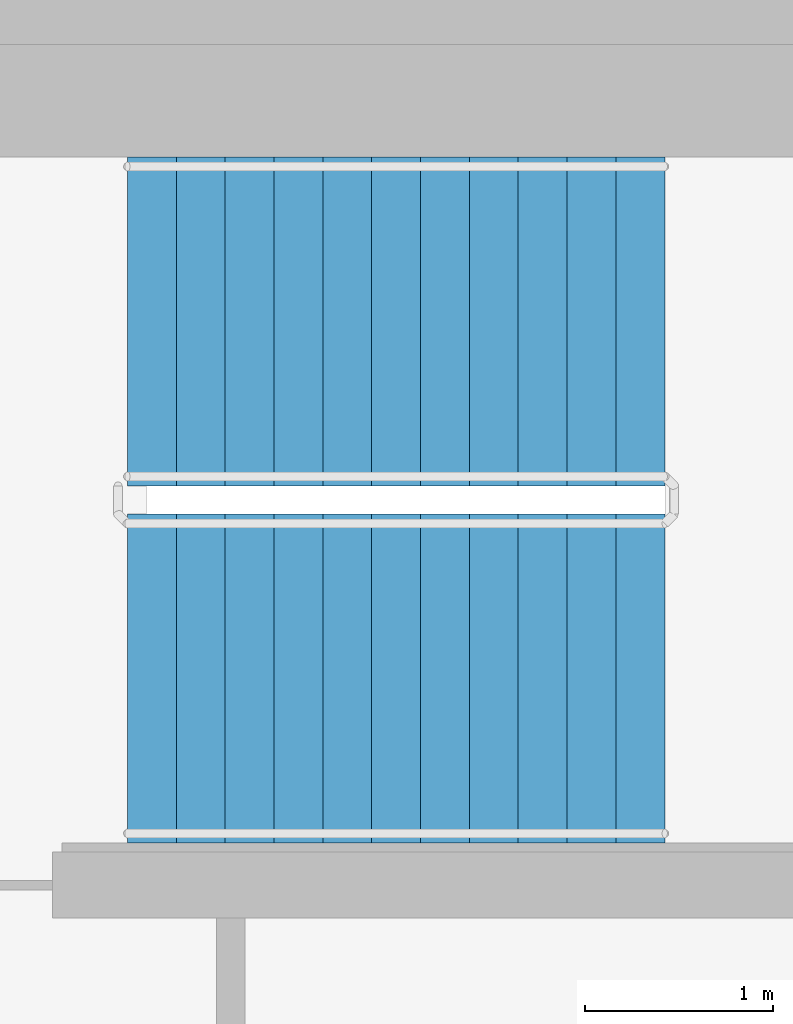
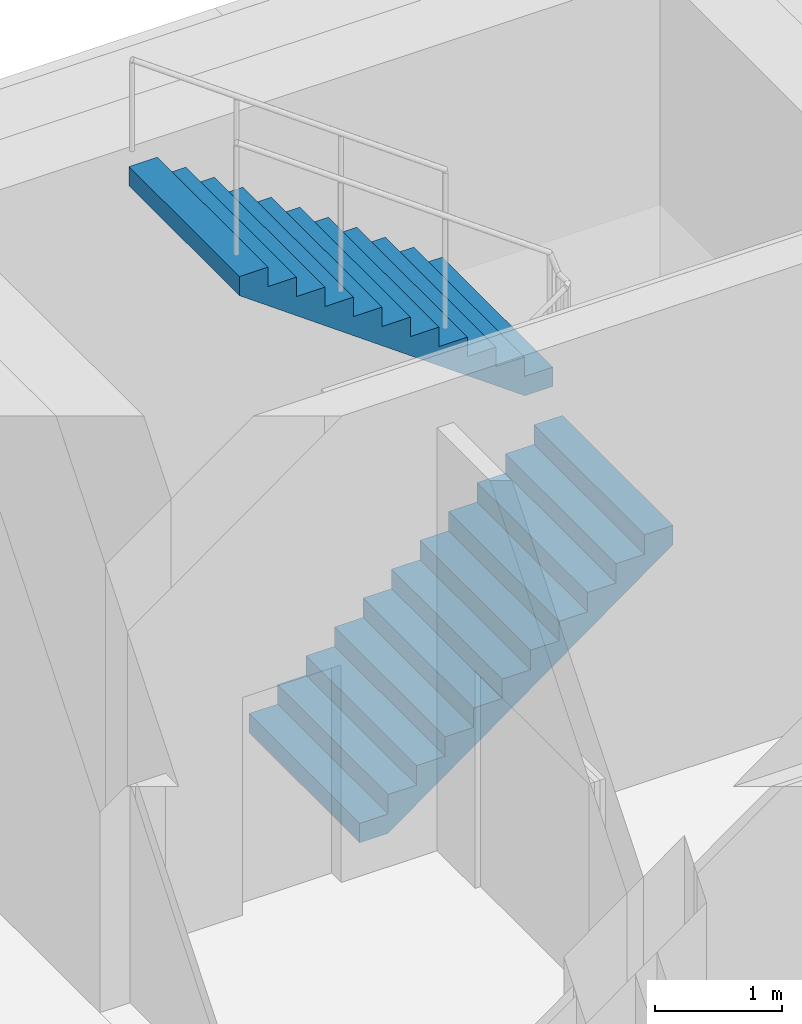
# One storey, part 13 of 20: 2 stair flights, 1 element without a shape of its own.
"""IFC4 building model written with IfcOpenShell, lengths in metres."""

from ifc_helpers import new_model, si_unit, direction, frame, origin, place, context, subcontext, project, spatial, faceted_brep, material, type_object, element, aggregate, save


model = new_model("IFC4")

# Units and contexts
model_context = context("Model", 3, precision=1e-05, world=origin(), true_north=direction((0.0, 1.0)))
body_context = subcontext(model_context, "Body", "Model", "MODEL_VIEW")
ifc_project = project(units=[si_unit("LENGTHUNIT", "METRE"), si_unit("AREAUNIT", "SQUARE_METRE"), si_unit("VOLUMEUNIT", "CUBIC_METRE"), si_unit("PLANEANGLEUNIT", "RADIAN"), si_unit("MASSUNIT", "GRAM", prefix="KILO")], contexts=[model_context])

# Site, building, storey
site_placement = place(None, origin())
site = spatial("IfcSite", under=ifc_project, at=site_placement, CompositionType="ELEMENT")
building_placement = place(site_placement, origin())
building = spatial("IfcBuilding", under=site, at=building_placement, Name="Ipe Terrace Towers", CompositionType="ELEMENT")
storey_placement = place(building_placement, frame((0.0, 0.0, 242.39990234375)))
storey = spatial("IfcBuildingStorey", under=building, at=storey_placement, Name="L67", CompositionType="ELEMENT", Elevation=242.39990234375)

# Stair, stair flights
ifc_material_1 = material(Name="Concrete C30/37", Category="concrete")
stair_type = type_object("IfcStairType", Name="Protected exit stair", PredefinedType="HALF_TURN_STAIR", material=ifc_material_1)
stair_placement = place(storey_placement, origin())
stair = element("IfcStair", 1, at=stair_placement, inside=storey, type_object=stair_type, Name="L67 Exit stair T1-C1", PredefinedType="HALF_TURN_STAIR")
ifc_material_2 = material(Name="Concrete C30/37", Category="concrete")
stair_flight_type = type_object("IfcStairFlightType", Name="Exit stair flight 1750", PredefinedType="STRAIGHT", material=ifc_material_2)
stair_flight_1_placement = place(storey_placement, frame((-26.300048828125, 2.77490234375, 0.0), z_axis=(0.0, 0.0, 1.0), x_axis=(1.0, 0.0, 0.0)))
stair_flight_1 = element("IfcStairFlight", 2, at=stair_flight_1_placement, type_object=stair_flight_type, Name="T1-ST1 flight 1", NumberOfRisers=12, NumberOfTreads=11, PredefinedType="STRAIGHT", RiserHeight=0.1875, TreadLength=0.26, context=body_context, shape_type="Brep", body=[
    faceted_brep([(0.25634765625, -0.875, 0.0), (2.860107421875, -0.875, 1.877685546875), (2.860107421875, -0.875, 2.0625), (2.60009765625, -0.875, 2.0625), (2.60009765625, -0.875, 1.875), (2.340087890625, -0.875, 1.875), (2.340087890625, -0.875, 1.6875), (2.080078125, -0.875, 1.6875), (2.080078125, -0.875, 1.5), (1.820068359375, -0.875, 1.5), (1.820068359375, -0.875, 1.3125), (1.56005859375, -0.875, 1.3125), (1.56005859375, -0.875, 1.125), (1.300048828125, -0.875, 1.125), (1.300048828125, -0.875, 0.9375), (1.0400390625, -0.875, 0.9375), (1.0400390625, -0.875, 0.75), (0.780029296875, -0.875, 0.75), (0.780029296875, -0.875, 0.5625), (0.52001953125, -0.875, 0.5625), (0.52001953125, -0.875, 0.375), (0.260009765625, -0.875, 0.375), (0.260009765625, -0.875, 0.1875), (0.0, -0.875, 0.1875), (0.0, -0.875, 0.0), (0.0, 0.875, 0.0), (0.0, 0.875, 0.1875), (0.260009765625, 0.875, 0.1875), (0.260009765625, 0.875, 0.375), (0.52001953125, 0.875, 0.375), (0.52001953125, 0.875, 0.5625), (0.780029296875, 0.875, 0.5625), (0.780029296875, 0.875, 0.75), (1.0400390625, 0.875, 0.75), (1.0400390625, 0.875, 0.9375), (1.300048828125, 0.875, 0.9375), (1.300048828125, 0.875, 1.125), (1.56005859375, 0.875, 1.125), (1.56005859375, 0.875, 1.3125), (1.820068359375, 0.875, 1.3125), (1.820068359375, 0.875, 1.5), (2.080078125, 0.875, 1.5), (2.080078125, 0.875, 1.6875), (2.340087890625, 0.875, 1.6875), (2.340087890625, 0.875, 1.875), (2.60009765625, 0.875, 1.875), (2.60009765625, 0.875, 2.0625), (2.860107421875, 0.875, 2.0625), (2.860107421875, 0.875, 1.877685546875), (0.25634765625, 0.875, 0.0), (0.0, -0.300048828125, 0.1875), (0.0, -0.1201171875, 0.1875), (0.0, -0.06005859375, 0.1875), (0.0, -0.030029296875, 0.1875), (0.0, -0.010009765625, 0.1875), (0.0, 0.0, 0.1875), (0.0, 0.010009765625, 0.1875), (0.0, 0.030029296875, 0.1875), (0.0, 0.06005859375, 0.1875), (0.0, 0.1201171875, 0.1875), (0.0, 0.300048828125, 0.1875), (0.0, 0.300048828125, 0.0), (0.0, 0.1201171875, 0.0), (0.0, 0.06005859375, 0.0), (0.0, 0.030029296875, 0.0), (0.0, 0.010009765625, 0.0), (0.0, 0.0, 0.0), (0.0, -0.010009765625, 0.0), (0.0, -0.030029296875, 0.0), (0.0, -0.06005859375, 0.0), (0.0, -0.1201171875, 0.0), (0.0, -0.300048828125, 0.0), (0.260009765625, -0.300048828125, 0.1875), (0.260009765625, -0.1201171875, 0.1875), (0.260009765625, -0.06005859375, 0.1875), (0.260009765625, -0.030029296875, 0.1875), (0.260009765625, -0.010009765625, 0.1875), (0.260009765625, 0.0, 0.1875), (0.260009765625, 0.010009765625, 0.1875), (0.260009765625, 0.030029296875, 0.1875), (0.260009765625, 0.06005859375, 0.1875), (0.260009765625, 0.1201171875, 0.1875), (0.260009765625, 0.300048828125, 0.1875), (0.260009765625, -0.300048828125, 0.375), (0.260009765625, -0.1201171875, 0.375), (0.260009765625, -0.06005859375, 0.375), (0.260009765625, -0.030029296875, 0.375), (0.260009765625, -0.010009765625, 0.375), (0.260009765625, 0.0, 0.375), (0.260009765625, 0.010009765625, 0.375), (0.260009765625, 0.030029296875, 0.375), (0.260009765625, 0.06005859375, 0.375), (0.260009765625, 0.1201171875, 0.375), (0.260009765625, 0.300048828125, 0.375), (0.52001953125, -0.300048828125, 0.375), (0.52001953125, -0.1201171875, 0.375), (0.52001953125, -0.06005859375, 0.375), (0.52001953125, -0.030029296875, 0.375), (0.52001953125, -0.010009765625, 0.375), (0.52001953125, 0.0, 0.375), (0.52001953125, 0.010009765625, 0.375), (0.52001953125, 0.030029296875, 0.375), (0.52001953125, 0.06005859375, 0.375), (0.52001953125, 0.1201171875, 0.375), (0.52001953125, 0.300048828125, 0.375), (0.52001953125, -0.300048828125, 0.5625), (0.52001953125, -0.1201171875, 0.5625), (0.52001953125, -0.06005859375, 0.5625), (0.52001953125, -0.030029296875, 0.5625), (0.52001953125, -0.010009765625, 0.5625), (0.52001953125, 0.0, 0.5625), (0.52001953125, 0.010009765625, 0.5625), (0.52001953125, 0.030029296875, 0.5625), (0.52001953125, 0.06005859375, 0.5625), (0.52001953125, 0.1201171875, 0.5625), (0.52001953125, 0.300048828125, 0.5625), (0.780029296875, -0.300048828125, 0.5625), (0.780029296875, -0.1201171875, 0.5625), (0.780029296875, -0.06005859375, 0.5625), (0.780029296875, -0.030029296875, 0.5625), (0.780029296875, -0.010009765625, 0.5625), (0.780029296875, 0.0, 0.5625), (0.780029296875, 0.010009765625, 0.5625), (0.780029296875, 0.030029296875, 0.5625), (0.780029296875, 0.06005859375, 0.5625), (0.780029296875, 0.1201171875, 0.5625), (0.780029296875, 0.300048828125, 0.5625), (0.780029296875, -0.300048828125, 0.75), (0.780029296875, -0.1201171875, 0.75), (0.780029296875, -0.06005859375, 0.75), (0.780029296875, -0.030029296875, 0.75), (0.780029296875, -0.010009765625, 0.75), (0.780029296875, 0.0, 0.75), (0.780029296875, 0.010009765625, 0.75), (0.780029296875, 0.030029296875, 0.75), (0.780029296875, 0.06005859375, 0.75), (0.780029296875, 0.1201171875, 0.75), (0.780029296875, 0.300048828125, 0.75), (1.0400390625, -0.300048828125, 0.75), (1.0400390625, -0.1201171875, 0.75), (1.0400390625, -0.06005859375, 0.75), (1.0400390625, -0.030029296875, 0.75), (1.0400390625, -0.010009765625, 0.75), (1.0400390625, 0.0, 0.75), (1.0400390625, 0.010009765625, 0.75), (1.0400390625, 0.030029296875, 0.75), (1.0400390625, 0.06005859375, 0.75), (1.0400390625, 0.1201171875, 0.75), (1.0400390625, 0.300048828125, 0.75), (1.0400390625, -0.300048828125, 0.9375), (1.0400390625, -0.1201171875, 0.9375), (1.0400390625, -0.06005859375, 0.9375), (1.0400390625, -0.030029296875, 0.9375), (1.0400390625, -0.010009765625, 0.9375), (1.0400390625, 0.0, 0.9375), (1.0400390625, 0.010009765625, 0.9375), (1.0400390625, 0.030029296875, 0.9375), (1.0400390625, 0.06005859375, 0.9375), (1.0400390625, 0.1201171875, 0.9375), (1.0400390625, 0.300048828125, 0.9375), (1.300048828125, -0.300048828125, 0.9375), (1.300048828125, -0.1201171875, 0.9375), (1.300048828125, -0.06005859375, 0.9375), (1.300048828125, -0.030029296875, 0.9375), (1.300048828125, -0.010009765625, 0.9375), (1.300048828125, 0.0, 0.9375), (1.300048828125, 0.010009765625, 0.9375), (1.300048828125, 0.030029296875, 0.9375), (1.300048828125, 0.06005859375, 0.9375), (1.300048828125, 0.1201171875, 0.9375), (1.300048828125, 0.300048828125, 0.9375), (1.300048828125, -0.300048828125, 1.125), (1.300048828125, -0.1201171875, 1.125), (1.300048828125, -0.06005859375, 1.125), (1.300048828125, -0.030029296875, 1.125), (1.300048828125, -0.010009765625, 1.125), (1.300048828125, 0.0, 1.125), (1.300048828125, 0.010009765625, 1.125), (1.300048828125, 0.030029296875, 1.125), (1.300048828125, 0.06005859375, 1.125), (1.300048828125, 0.1201171875, 1.125), (1.300048828125, 0.300048828125, 1.125), (1.56005859375, -0.300048828125, 1.125), (1.56005859375, -0.1201171875, 1.125), (1.56005859375, -0.06005859375, 1.125), (1.56005859375, -0.030029296875, 1.125), (1.56005859375, -0.010009765625, 1.125), (1.56005859375, 0.0, 1.125), (1.56005859375, 0.010009765625, 1.125), (1.56005859375, 0.030029296875, 1.125), (1.56005859375, 0.06005859375, 1.125), (1.56005859375, 0.1201171875, 1.125), (1.56005859375, 0.300048828125, 1.125), (1.56005859375, -0.300048828125, 1.3125), (1.56005859375, -0.1201171875, 1.3125), (1.56005859375, -0.06005859375, 1.3125), (1.56005859375, -0.030029296875, 1.3125), (1.56005859375, -0.010009765625, 1.3125), (1.56005859375, 0.0, 1.3125), (1.56005859375, 0.010009765625, 1.3125), (1.56005859375, 0.030029296875, 1.3125), (1.56005859375, 0.06005859375, 1.3125), (1.56005859375, 0.1201171875, 1.3125), (1.56005859375, 0.300048828125, 1.3125), (1.820068359375, -0.300048828125, 1.3125), (1.820068359375, -0.1201171875, 1.3125), (1.820068359375, -0.06005859375, 1.3125), (1.820068359375, -0.030029296875, 1.3125), (1.820068359375, -0.010009765625, 1.3125), (1.820068359375, 0.0, 1.3125), (1.820068359375, 0.010009765625, 1.3125), (1.820068359375, 0.030029296875, 1.3125), (1.820068359375, 0.06005859375, 1.3125), (1.820068359375, 0.1201171875, 1.3125), (1.820068359375, 0.300048828125, 1.3125), (1.820068359375, -0.300048828125, 1.5), (1.820068359375, -0.1201171875, 1.5), (1.820068359375, -0.06005859375, 1.5), (1.820068359375, -0.030029296875, 1.5), (1.820068359375, -0.010009765625, 1.5), (1.820068359375, 0.0, 1.5), (1.820068359375, 0.010009765625, 1.5), (1.820068359375, 0.030029296875, 1.5), (1.820068359375, 0.06005859375, 1.5), (1.820068359375, 0.1201171875, 1.5), (1.820068359375, 0.300048828125, 1.5), (2.080078125, -0.300048828125, 1.5), (2.080078125, -0.1201171875, 1.5), (2.080078125, -0.06005859375, 1.5), (2.080078125, -0.030029296875, 1.5), (2.080078125, -0.010009765625, 1.5), (2.080078125, 0.0, 1.5), (2.080078125, 0.010009765625, 1.5), (2.080078125, 0.030029296875, 1.5), (2.080078125, 0.06005859375, 1.5), (2.080078125, 0.1201171875, 1.5), (2.080078125, 0.300048828125, 1.5), (2.080078125, -0.300048828125, 1.6875), (2.080078125, -0.1201171875, 1.6875), (2.080078125, -0.06005859375, 1.6875), (2.080078125, -0.030029296875, 1.6875), (2.080078125, -0.010009765625, 1.6875), (2.080078125, 0.0, 1.6875), (2.080078125, 0.010009765625, 1.6875), (2.080078125, 0.030029296875, 1.6875), (2.080078125, 0.06005859375, 1.6875), (2.080078125, 0.1201171875, 1.6875), (2.080078125, 0.300048828125, 1.6875), (2.340087890625, -0.300048828125, 1.6875), (2.340087890625, -0.1201171875, 1.6875), (2.340087890625, -0.06005859375, 1.6875), (2.340087890625, -0.030029296875, 1.6875), (2.340087890625, -0.010009765625, 1.6875), (2.340087890625, 0.0, 1.6875), (2.340087890625, 0.010009765625, 1.6875), (2.340087890625, 0.030029296875, 1.6875), (2.340087890625, 0.06005859375, 1.6875), (2.340087890625, 0.1201171875, 1.6875), (2.340087890625, 0.300048828125, 1.6875), (2.340087890625, -0.300048828125, 1.875), (2.340087890625, -0.1201171875, 1.875), (2.340087890625, -0.06005859375, 1.875), (2.340087890625, -0.030029296875, 1.875), (2.340087890625, -0.010009765625, 1.875), (2.340087890625, 0.0, 1.875), (2.340087890625, 0.010009765625, 1.875), (2.340087890625, 0.030029296875, 1.875), (2.340087890625, 0.06005859375, 1.875), (2.340087890625, 0.1201171875, 1.875), (2.340087890625, 0.300048828125, 1.875), (2.60009765625, -0.300048828125, 1.875), (2.60009765625, -0.1201171875, 1.875), (2.60009765625, -0.06005859375, 1.875), (2.60009765625, -0.030029296875, 1.875), (2.60009765625, -0.010009765625, 1.875), (2.60009765625, 0.0, 1.875), (2.60009765625, 0.010009765625, 1.875), (2.60009765625, 0.030029296875, 1.875), (2.60009765625, 0.06005859375, 1.875), (2.60009765625, 0.1201171875, 1.875), (2.60009765625, 0.300048828125, 1.875), (2.60009765625, -0.300048828125, 2.0625), (2.60009765625, -0.1201171875, 2.0625), (2.60009765625, -0.06005859375, 2.0625), (2.60009765625, -0.030029296875, 2.0625), (2.60009765625, -0.010009765625, 2.0625), (2.60009765625, 0.0, 2.0625), (2.60009765625, 0.010009765625, 2.0625), (2.60009765625, 0.030029296875, 2.0625), (2.60009765625, 0.06005859375, 2.0625), (2.60009765625, 0.1201171875, 2.0625), (2.60009765625, 0.300048828125, 2.0625), (2.860107421875, -0.300048828125, 2.0625), (2.860107421875, -0.1201171875, 2.0625), (2.860107421875, -0.06005859375, 2.0625), (2.860107421875, -0.030029296875, 2.0625), (2.860107421875, -0.010009765625, 2.0625), (2.860107421875, 0.0, 2.0625), (2.860107421875, 0.010009765625, 2.0625), (2.860107421875, 0.030029296875, 2.0625), (2.860107421875, 0.06005859375, 2.0625), (2.860107421875, 0.1201171875, 2.0625), (2.860107421875, 0.300048828125, 2.0625), (2.860107421875, -0.300048828125, 1.877685546875), (2.860107421875, -0.1201171875, 1.877685546875), (2.860107421875, -0.06005859375, 1.877685546875), (2.860107421875, -0.030029296875, 1.877685546875), (2.860107421875, -0.010009765625, 1.877685546875), (2.860107421875, 0.0, 1.877685546875), (2.860107421875, 0.010009765625, 1.877685546875), (2.860107421875, 0.030029296875, 1.877685546875), (2.860107421875, 0.06005859375, 1.877685546875), (2.860107421875, 0.1201171875, 1.877685546875), (2.860107421875, 0.300048828125, 1.877685546875), (0.25634765625, -0.300048828125, 0.0), (0.25634765625, -0.1201171875, 0.0), (0.25634765625, -0.06005859375, 0.0), (0.25634765625, -0.030029296875, 0.0), (0.25634765625, -0.010009765625, 0.0), (0.25634765625, 0.0, 0.0), (0.25634765625, 0.010009765625, 0.0), (0.25634765625, 0.030029296875, 0.0), (0.25634765625, 0.06005859375, 0.0), (0.25634765625, 0.1201171875, 0.0), (0.25634765625, 0.300048828125, 0.0)], [[[0, 1, 2, 3, 4, 5, 6, 7, 8, 9, 10, 11, 12, 13, 14, 15, 16, 17, 18, 19, 20, 21, 22, 23, 24]], [[25, 26, 27, 28, 29, 30, 31, 32, 33, 34, 35, 36, 37, 38, 39, 40, 41, 42, 43, 44, 45, 46, 47, 48, 49]], [[23, 50, 51, 52, 53, 54, 55, 56, 57, 58, 59, 60, 26, 25, 61, 62, 63, 64, 65, 66, 67, 68, 69, 70, 71, 24]], [[22, 72, 73, 74, 75, 76, 77, 78, 79, 80, 81, 82, 27, 26, 60, 59, 58, 57, 56, 55, 54, 53, 52, 51, 50, 23]], [[21, 83, 84, 85, 86, 87, 88, 89, 90, 91, 92, 93, 28, 27, 82, 81, 80, 79, 78, 77, 76, 75, 74, 73, 72, 22]], [[20, 94, 95, 96, 97, 98, 99, 100, 101, 102, 103, 104, 29, 28, 93, 92, 91, 90, 89, 88, 87, 86, 85, 84, 83, 21]], [[19, 105, 106, 107, 108, 109, 110, 111, 112, 113, 114, 115, 30, 29, 104, 103, 102, 101, 100, 99, 98, 97, 96, 95, 94, 20]], [[18, 116, 117, 118, 119, 120, 121, 122, 123, 124, 125, 126, 31, 30, 115, 114, 113, 112, 111, 110, 109, 108, 107, 106, 105, 19]], [[17, 127, 128, 129, 130, 131, 132, 133, 134, 135, 136, 137, 32, 31, 126, 125, 124, 123, 122, 121, 120, 119, 118, 117, 116, 18]], [[16, 138, 139, 140, 141, 142, 143, 144, 145, 146, 147, 148, 33, 32, 137, 136, 135, 134, 133, 132, 131, 130, 129, 128, 127, 17]], [[15, 149, 150, 151, 152, 153, 154, 155, 156, 157, 158, 159, 34, 33, 148, 147, 146, 145, 144, 143, 142, 141, 140, 139, 138, 16]], [[14, 160, 161, 162, 163, 164, 165, 166, 167, 168, 169, 170, 35, 34, 159, 158, 157, 156, 155, 154, 153, 152, 151, 150, 149, 15]], [[13, 171, 172, 173, 174, 175, 176, 177, 178, 179, 180, 181, 36, 35, 170, 169, 168, 167, 166, 165, 164, 163, 162, 161, 160, 14]], [[12, 182, 183, 184, 185, 186, 187, 188, 189, 190, 191, 192, 37, 36, 181, 180, 179, 178, 177, 176, 175, 174, 173, 172, 171, 13]], [[11, 193, 194, 195, 196, 197, 198, 199, 200, 201, 202, 203, 38, 37, 192, 191, 190, 189, 188, 187, 186, 185, 184, 183, 182, 12]], [[10, 204, 205, 206, 207, 208, 209, 210, 211, 212, 213, 214, 39, 38, 203, 202, 201, 200, 199, 198, 197, 196, 195, 194, 193, 11]], [[9, 215, 216, 217, 218, 219, 220, 221, 222, 223, 224, 225, 40, 39, 214, 213, 212, 211, 210, 209, 208, 207, 206, 205, 204, 10]], [[8, 226, 227, 228, 229, 230, 231, 232, 233, 234, 235, 236, 41, 40, 225, 224, 223, 222, 221, 220, 219, 218, 217, 216, 215, 9]], [[7, 237, 238, 239, 240, 241, 242, 243, 244, 245, 246, 247, 42, 41, 236, 235, 234, 233, 232, 231, 230, 229, 228, 227, 226, 8]], [[6, 248, 249, 250, 251, 252, 253, 254, 255, 256, 257, 258, 43, 42, 247, 246, 245, 244, 243, 242, 241, 240, 239, 238, 237, 7]], [[5, 259, 260, 261, 262, 263, 264, 265, 266, 267, 268, 269, 44, 43, 258, 257, 256, 255, 254, 253, 252, 251, 250, 249, 248, 6]], [[4, 270, 271, 272, 273, 274, 275, 276, 277, 278, 279, 280, 45, 44, 269, 268, 267, 266, 265, 264, 263, 262, 261, 260, 259, 5]], [[3, 281, 282, 283, 284, 285, 286, 287, 288, 289, 290, 291, 46, 45, 280, 279, 278, 277, 276, 275, 274, 273, 272, 271, 270, 4]], [[2, 292, 293, 294, 295, 296, 297, 298, 299, 300, 301, 302, 47, 46, 291, 290, 289, 288, 287, 286, 285, 284, 283, 282, 281, 3]], [[1, 303, 304, 305, 306, 307, 308, 309, 310, 311, 312, 313, 48, 47, 302, 301, 300, 299, 298, 297, 296, 295, 294, 293, 292, 2]], [[0, 314, 315, 316, 317, 318, 319, 320, 321, 322, 323, 324, 49, 48, 313, 312, 311, 310, 309, 308, 307, 306, 305, 304, 303, 1]], [[24, 71, 70, 69, 68, 67, 66, 65, 64, 63, 62, 61, 25, 49, 324, 323, 322, 321, 320, 319, 318, 317, 316, 315, 314, 0]]]),
])
stair_flight_2_placement = place(storey_placement, frame((-23.43994140625, 4.675048828125, 2.25), z_axis=(0.0, 0.0, 1.0), x_axis=(-1.0, 0.0, 0.0)))
stair_flight_2 = element("IfcStairFlight", 3, at=stair_flight_2_placement, type_object=stair_flight_type, Name="T1-ST1 flight 2", NumberOfRisers=12, NumberOfTreads=11, PredefinedType="STRAIGHT", RiserHeight=0.1875, TreadLength=0.26, context=body_context, shape_type="Brep", body=[
    faceted_brep([(0.25634765625, -0.875, 0.0), (2.860107421875, -0.875, 1.877685546875), (2.860107421875, -0.875, 2.0625), (2.60009765625, -0.875, 2.0625), (2.60009765625, -0.875, 1.875), (2.340087890625, -0.875, 1.875), (2.340087890625, -0.875, 1.6875), (2.080078125, -0.875, 1.6875), (2.080078125, -0.875, 1.5), (1.820068359375, -0.875, 1.5), (1.820068359375, -0.875, 1.3125), (1.56005859375, -0.875, 1.3125), (1.56005859375, -0.875, 1.125), (1.300048828125, -0.875, 1.125), (1.300048828125, -0.875, 0.9375), (1.0400390625, -0.875, 0.9375), (1.0400390625, -0.875, 0.75), (0.780029296875, -0.875, 0.75), (0.780029296875, -0.875, 0.5625), (0.52001953125, -0.875, 0.5625), (0.52001953125, -0.875, 0.375), (0.260009765625, -0.875, 0.375), (0.260009765625, -0.875, 0.1875), (0.0, -0.875, 0.1875), (0.0, -0.875, 0.0), (0.0, 0.875, 0.0), (0.0, 0.875, 0.1875), (0.260009765625, 0.875, 0.1875), (0.260009765625, 0.875, 0.375), (0.52001953125, 0.875, 0.375), (0.52001953125, 0.875, 0.5625), (0.780029296875, 0.875, 0.5625), (0.780029296875, 0.875, 0.75), (1.0400390625, 0.875, 0.75), (1.0400390625, 0.875, 0.9375), (1.300048828125, 0.875, 0.9375), (1.300048828125, 0.875, 1.125), (1.56005859375, 0.875, 1.125), (1.56005859375, 0.875, 1.3125), (1.820068359375, 0.875, 1.3125), (1.820068359375, 0.875, 1.5), (2.080078125, 0.875, 1.5), (2.080078125, 0.875, 1.6875), (2.340087890625, 0.875, 1.6875), (2.340087890625, 0.875, 1.875), (2.60009765625, 0.875, 1.875), (2.60009765625, 0.875, 2.0625), (2.860107421875, 0.875, 2.0625), (2.860107421875, 0.875, 1.877685546875), (0.25634765625, 0.875, 0.0), (0.0, -0.300048828125, 0.1875), (0.0, -0.1201171875, 0.1875), (0.0, -0.06005859375, 0.1875), (0.0, -0.030029296875, 0.1875), (0.0, -0.010009765625, 0.1875), (0.0, 0.0, 0.1875), (0.0, 0.010009765625, 0.1875), (0.0, 0.030029296875, 0.1875), (0.0, 0.06005859375, 0.1875), (0.0, 0.1201171875, 0.1875), (0.0, 0.300048828125, 0.1875), (0.0, 0.300048828125, 0.0), (0.0, 0.1201171875, 0.0), (0.0, 0.06005859375, 0.0), (0.0, 0.030029296875, 0.0), (0.0, 0.010009765625, 0.0), (0.0, 0.0, 0.0), (0.0, -0.010009765625, 0.0), (0.0, -0.030029296875, 0.0), (0.0, -0.06005859375, 0.0), (0.0, -0.1201171875, 0.0), (0.0, -0.300048828125, 0.0), (0.260009765625, -0.300048828125, 0.1875), (0.260009765625, -0.1201171875, 0.1875), (0.260009765625, -0.06005859375, 0.1875), (0.260009765625, -0.030029296875, 0.1875), (0.260009765625, -0.010009765625, 0.1875), (0.260009765625, 0.0, 0.1875), (0.260009765625, 0.010009765625, 0.1875), (0.260009765625, 0.030029296875, 0.1875), (0.260009765625, 0.06005859375, 0.1875), (0.260009765625, 0.1201171875, 0.1875), (0.260009765625, 0.300048828125, 0.1875), (0.260009765625, -0.300048828125, 0.375), (0.260009765625, -0.1201171875, 0.375), (0.260009765625, -0.06005859375, 0.375), (0.260009765625, -0.030029296875, 0.375), (0.260009765625, -0.010009765625, 0.375), (0.260009765625, 0.0, 0.375), (0.260009765625, 0.010009765625, 0.375), (0.260009765625, 0.030029296875, 0.375), (0.260009765625, 0.06005859375, 0.375), (0.260009765625, 0.1201171875, 0.375), (0.260009765625, 0.300048828125, 0.375), (0.52001953125, -0.300048828125, 0.375), (0.52001953125, -0.1201171875, 0.375), (0.52001953125, -0.06005859375, 0.375), (0.52001953125, -0.030029296875, 0.375), (0.52001953125, -0.010009765625, 0.375), (0.52001953125, 0.0, 0.375), (0.52001953125, 0.010009765625, 0.375), (0.52001953125, 0.030029296875, 0.375), (0.52001953125, 0.06005859375, 0.375), (0.52001953125, 0.1201171875, 0.375), (0.52001953125, 0.300048828125, 0.375), (0.52001953125, -0.300048828125, 0.5625), (0.52001953125, -0.1201171875, 0.5625), (0.52001953125, -0.06005859375, 0.5625), (0.52001953125, -0.030029296875, 0.5625), (0.52001953125, -0.010009765625, 0.5625), (0.52001953125, 0.0, 0.5625), (0.52001953125, 0.010009765625, 0.5625), (0.52001953125, 0.030029296875, 0.5625), (0.52001953125, 0.06005859375, 0.5625), (0.52001953125, 0.1201171875, 0.5625), (0.52001953125, 0.300048828125, 0.5625), (0.780029296875, -0.300048828125, 0.5625), (0.780029296875, -0.1201171875, 0.5625), (0.780029296875, -0.06005859375, 0.5625), (0.780029296875, -0.030029296875, 0.5625), (0.780029296875, -0.010009765625, 0.5625), (0.780029296875, 0.0, 0.5625), (0.780029296875, 0.010009765625, 0.5625), (0.780029296875, 0.030029296875, 0.5625), (0.780029296875, 0.06005859375, 0.5625), (0.780029296875, 0.1201171875, 0.5625), (0.780029296875, 0.300048828125, 0.5625), (0.780029296875, -0.300048828125, 0.75), (0.780029296875, -0.1201171875, 0.75), (0.780029296875, -0.06005859375, 0.75), (0.780029296875, -0.030029296875, 0.75), (0.780029296875, -0.010009765625, 0.75), (0.780029296875, 0.0, 0.75), (0.780029296875, 0.010009765625, 0.75), (0.780029296875, 0.030029296875, 0.75), (0.780029296875, 0.06005859375, 0.75), (0.780029296875, 0.1201171875, 0.75), (0.780029296875, 0.300048828125, 0.75), (1.0400390625, -0.300048828125, 0.75), (1.0400390625, -0.1201171875, 0.75), (1.0400390625, -0.06005859375, 0.75), (1.0400390625, -0.030029296875, 0.75), (1.0400390625, -0.010009765625, 0.75), (1.0400390625, 0.0, 0.75), (1.0400390625, 0.010009765625, 0.75), (1.0400390625, 0.030029296875, 0.75), (1.0400390625, 0.06005859375, 0.75), (1.0400390625, 0.1201171875, 0.75), (1.0400390625, 0.300048828125, 0.75), (1.0400390625, -0.300048828125, 0.9375), (1.0400390625, -0.1201171875, 0.9375), (1.0400390625, -0.06005859375, 0.9375), (1.0400390625, -0.030029296875, 0.9375), (1.0400390625, -0.010009765625, 0.9375), (1.0400390625, 0.0, 0.9375), (1.0400390625, 0.010009765625, 0.9375), (1.0400390625, 0.030029296875, 0.9375), (1.0400390625, 0.06005859375, 0.9375), (1.0400390625, 0.1201171875, 0.9375), (1.0400390625, 0.300048828125, 0.9375), (1.300048828125, -0.300048828125, 0.9375), (1.300048828125, -0.1201171875, 0.9375), (1.300048828125, -0.06005859375, 0.9375), (1.300048828125, -0.030029296875, 0.9375), (1.300048828125, -0.010009765625, 0.9375), (1.300048828125, 0.0, 0.9375), (1.300048828125, 0.010009765625, 0.9375), (1.300048828125, 0.030029296875, 0.9375), (1.300048828125, 0.06005859375, 0.9375), (1.300048828125, 0.1201171875, 0.9375), (1.300048828125, 0.300048828125, 0.9375), (1.300048828125, -0.300048828125, 1.125), (1.300048828125, -0.1201171875, 1.125), (1.300048828125, -0.06005859375, 1.125), (1.300048828125, -0.030029296875, 1.125), (1.300048828125, -0.010009765625, 1.125), (1.300048828125, 0.0, 1.125), (1.300048828125, 0.010009765625, 1.125), (1.300048828125, 0.030029296875, 1.125), (1.300048828125, 0.06005859375, 1.125), (1.300048828125, 0.1201171875, 1.125), (1.300048828125, 0.300048828125, 1.125), (1.56005859375, -0.300048828125, 1.125), (1.56005859375, -0.1201171875, 1.125), (1.56005859375, -0.06005859375, 1.125), (1.56005859375, -0.030029296875, 1.125), (1.56005859375, -0.010009765625, 1.125), (1.56005859375, 0.0, 1.125), (1.56005859375, 0.010009765625, 1.125), (1.56005859375, 0.030029296875, 1.125), (1.56005859375, 0.06005859375, 1.125), (1.56005859375, 0.1201171875, 1.125), (1.56005859375, 0.300048828125, 1.125), (1.56005859375, -0.300048828125, 1.3125), (1.56005859375, -0.1201171875, 1.3125), (1.56005859375, -0.06005859375, 1.3125), (1.56005859375, -0.030029296875, 1.3125), (1.56005859375, -0.010009765625, 1.3125), (1.56005859375, 0.0, 1.3125), (1.56005859375, 0.010009765625, 1.3125), (1.56005859375, 0.030029296875, 1.3125), (1.56005859375, 0.06005859375, 1.3125), (1.56005859375, 0.1201171875, 1.3125), (1.56005859375, 0.300048828125, 1.3125), (1.820068359375, -0.300048828125, 1.3125), (1.820068359375, -0.1201171875, 1.3125), (1.820068359375, -0.06005859375, 1.3125), (1.820068359375, -0.030029296875, 1.3125), (1.820068359375, -0.010009765625, 1.3125), (1.820068359375, 0.0, 1.3125), (1.820068359375, 0.010009765625, 1.3125), (1.820068359375, 0.030029296875, 1.3125), (1.820068359375, 0.06005859375, 1.3125), (1.820068359375, 0.1201171875, 1.3125), (1.820068359375, 0.300048828125, 1.3125), (1.820068359375, -0.300048828125, 1.5), (1.820068359375, -0.1201171875, 1.5), (1.820068359375, -0.06005859375, 1.5), (1.820068359375, -0.030029296875, 1.5), (1.820068359375, -0.010009765625, 1.5), (1.820068359375, 0.0, 1.5), (1.820068359375, 0.010009765625, 1.5), (1.820068359375, 0.030029296875, 1.5), (1.820068359375, 0.06005859375, 1.5), (1.820068359375, 0.1201171875, 1.5), (1.820068359375, 0.300048828125, 1.5), (2.080078125, -0.300048828125, 1.5), (2.080078125, -0.1201171875, 1.5), (2.080078125, -0.06005859375, 1.5), (2.080078125, -0.030029296875, 1.5), (2.080078125, -0.010009765625, 1.5), (2.080078125, 0.0, 1.5), (2.080078125, 0.010009765625, 1.5), (2.080078125, 0.030029296875, 1.5), (2.080078125, 0.06005859375, 1.5), (2.080078125, 0.1201171875, 1.5), (2.080078125, 0.300048828125, 1.5), (2.080078125, -0.300048828125, 1.6875), (2.080078125, -0.1201171875, 1.6875), (2.080078125, -0.06005859375, 1.6875), (2.080078125, -0.030029296875, 1.6875), (2.080078125, -0.010009765625, 1.6875), (2.080078125, 0.0, 1.6875), (2.080078125, 0.010009765625, 1.6875), (2.080078125, 0.030029296875, 1.6875), (2.080078125, 0.06005859375, 1.6875), (2.080078125, 0.1201171875, 1.6875), (2.080078125, 0.300048828125, 1.6875), (2.340087890625, -0.300048828125, 1.6875), (2.340087890625, -0.1201171875, 1.6875), (2.340087890625, -0.06005859375, 1.6875), (2.340087890625, -0.030029296875, 1.6875), (2.340087890625, -0.010009765625, 1.6875), (2.340087890625, 0.0, 1.6875), (2.340087890625, 0.010009765625, 1.6875), (2.340087890625, 0.030029296875, 1.6875), (2.340087890625, 0.06005859375, 1.6875), (2.340087890625, 0.1201171875, 1.6875), (2.340087890625, 0.300048828125, 1.6875), (2.340087890625, -0.300048828125, 1.875), (2.340087890625, -0.1201171875, 1.875), (2.340087890625, -0.06005859375, 1.875), (2.340087890625, -0.030029296875, 1.875), (2.340087890625, -0.010009765625, 1.875), (2.340087890625, 0.0, 1.875), (2.340087890625, 0.010009765625, 1.875), (2.340087890625, 0.030029296875, 1.875), (2.340087890625, 0.06005859375, 1.875), (2.340087890625, 0.1201171875, 1.875), (2.340087890625, 0.300048828125, 1.875), (2.60009765625, -0.300048828125, 1.875), (2.60009765625, -0.1201171875, 1.875), (2.60009765625, -0.06005859375, 1.875), (2.60009765625, -0.030029296875, 1.875), (2.60009765625, -0.010009765625, 1.875), (2.60009765625, 0.0, 1.875), (2.60009765625, 0.010009765625, 1.875), (2.60009765625, 0.030029296875, 1.875), (2.60009765625, 0.06005859375, 1.875), (2.60009765625, 0.1201171875, 1.875), (2.60009765625, 0.300048828125, 1.875), (2.60009765625, -0.300048828125, 2.0625), (2.60009765625, -0.1201171875, 2.0625), (2.60009765625, -0.06005859375, 2.0625), (2.60009765625, -0.030029296875, 2.0625), (2.60009765625, -0.010009765625, 2.0625), (2.60009765625, 0.0, 2.0625), (2.60009765625, 0.010009765625, 2.0625), (2.60009765625, 0.030029296875, 2.0625), (2.60009765625, 0.06005859375, 2.0625), (2.60009765625, 0.1201171875, 2.0625), (2.60009765625, 0.300048828125, 2.0625), (2.860107421875, -0.300048828125, 2.0625), (2.860107421875, -0.1201171875, 2.0625), (2.860107421875, -0.06005859375, 2.0625), (2.860107421875, -0.030029296875, 2.0625), (2.860107421875, -0.010009765625, 2.0625), (2.860107421875, 0.0, 2.0625), (2.860107421875, 0.010009765625, 2.0625), (2.860107421875, 0.030029296875, 2.0625), (2.860107421875, 0.06005859375, 2.0625), (2.860107421875, 0.1201171875, 2.0625), (2.860107421875, 0.300048828125, 2.0625), (2.860107421875, -0.300048828125, 1.877685546875), (2.860107421875, -0.1201171875, 1.877685546875), (2.860107421875, -0.06005859375, 1.877685546875), (2.860107421875, -0.030029296875, 1.877685546875), (2.860107421875, -0.010009765625, 1.877685546875), (2.860107421875, 0.0, 1.877685546875), (2.860107421875, 0.010009765625, 1.877685546875), (2.860107421875, 0.030029296875, 1.877685546875), (2.860107421875, 0.06005859375, 1.877685546875), (2.860107421875, 0.1201171875, 1.877685546875), (2.860107421875, 0.300048828125, 1.877685546875), (0.25634765625, -0.300048828125, 0.0), (0.25634765625, -0.1201171875, 0.0), (0.25634765625, -0.06005859375, 0.0), (0.25634765625, -0.030029296875, 0.0), (0.25634765625, -0.010009765625, 0.0), (0.25634765625, 0.0, 0.0), (0.25634765625, 0.010009765625, 0.0), (0.25634765625, 0.030029296875, 0.0), (0.25634765625, 0.06005859375, 0.0), (0.25634765625, 0.1201171875, 0.0), (0.25634765625, 0.300048828125, 0.0)], [[[0, 1, 2, 3, 4, 5, 6, 7, 8, 9, 10, 11, 12, 13, 14, 15, 16, 17, 18, 19, 20, 21, 22, 23, 24]], [[25, 26, 27, 28, 29, 30, 31, 32, 33, 34, 35, 36, 37, 38, 39, 40, 41, 42, 43, 44, 45, 46, 47, 48, 49]], [[23, 50, 51, 52, 53, 54, 55, 56, 57, 58, 59, 60, 26, 25, 61, 62, 63, 64, 65, 66, 67, 68, 69, 70, 71, 24]], [[22, 72, 73, 74, 75, 76, 77, 78, 79, 80, 81, 82, 27, 26, 60, 59, 58, 57, 56, 55, 54, 53, 52, 51, 50, 23]], [[21, 83, 84, 85, 86, 87, 88, 89, 90, 91, 92, 93, 28, 27, 82, 81, 80, 79, 78, 77, 76, 75, 74, 73, 72, 22]], [[20, 94, 95, 96, 97, 98, 99, 100, 101, 102, 103, 104, 29, 28, 93, 92, 91, 90, 89, 88, 87, 86, 85, 84, 83, 21]], [[19, 105, 106, 107, 108, 109, 110, 111, 112, 113, 114, 115, 30, 29, 104, 103, 102, 101, 100, 99, 98, 97, 96, 95, 94, 20]], [[18, 116, 117, 118, 119, 120, 121, 122, 123, 124, 125, 126, 31, 30, 115, 114, 113, 112, 111, 110, 109, 108, 107, 106, 105, 19]], [[17, 127, 128, 129, 130, 131, 132, 133, 134, 135, 136, 137, 32, 31, 126, 125, 124, 123, 122, 121, 120, 119, 118, 117, 116, 18]], [[16, 138, 139, 140, 141, 142, 143, 144, 145, 146, 147, 148, 33, 32, 137, 136, 135, 134, 133, 132, 131, 130, 129, 128, 127, 17]], [[15, 149, 150, 151, 152, 153, 154, 155, 156, 157, 158, 159, 34, 33, 148, 147, 146, 145, 144, 143, 142, 141, 140, 139, 138, 16]], [[14, 160, 161, 162, 163, 164, 165, 166, 167, 168, 169, 170, 35, 34, 159, 158, 157, 156, 155, 154, 153, 152, 151, 150, 149, 15]], [[13, 171, 172, 173, 174, 175, 176, 177, 178, 179, 180, 181, 36, 35, 170, 169, 168, 167, 166, 165, 164, 163, 162, 161, 160, 14]], [[12, 182, 183, 184, 185, 186, 187, 188, 189, 190, 191, 192, 37, 36, 181, 180, 179, 178, 177, 176, 175, 174, 173, 172, 171, 13]], [[11, 193, 194, 195, 196, 197, 198, 199, 200, 201, 202, 203, 38, 37, 192, 191, 190, 189, 188, 187, 186, 185, 184, 183, 182, 12]], [[10, 204, 205, 206, 207, 208, 209, 210, 211, 212, 213, 214, 39, 38, 203, 202, 201, 200, 199, 198, 197, 196, 195, 194, 193, 11]], [[9, 215, 216, 217, 218, 219, 220, 221, 222, 223, 224, 225, 40, 39, 214, 213, 212, 211, 210, 209, 208, 207, 206, 205, 204, 10]], [[8, 226, 227, 228, 229, 230, 231, 232, 233, 234, 235, 236, 41, 40, 225, 224, 223, 222, 221, 220, 219, 218, 217, 216, 215, 9]], [[7, 237, 238, 239, 240, 241, 242, 243, 244, 245, 246, 247, 42, 41, 236, 235, 234, 233, 232, 231, 230, 229, 228, 227, 226, 8]], [[6, 248, 249, 250, 251, 252, 253, 254, 255, 256, 257, 258, 43, 42, 247, 246, 245, 244, 243, 242, 241, 240, 239, 238, 237, 7]], [[5, 259, 260, 261, 262, 263, 264, 265, 266, 267, 268, 269, 44, 43, 258, 257, 256, 255, 254, 253, 252, 251, 250, 249, 248, 6]], [[4, 270, 271, 272, 273, 274, 275, 276, 277, 278, 279, 280, 45, 44, 269, 268, 267, 266, 265, 264, 263, 262, 261, 260, 259, 5]], [[3, 281, 282, 283, 284, 285, 286, 287, 288, 289, 290, 291, 46, 45, 280, 279, 278, 277, 276, 275, 274, 273, 272, 271, 270, 4]], [[2, 292, 293, 294, 295, 296, 297, 298, 299, 300, 301, 302, 47, 46, 291, 290, 289, 288, 287, 286, 285, 284, 283, 282, 281, 3]], [[1, 303, 304, 305, 306, 307, 308, 309, 310, 311, 312, 313, 48, 47, 302, 301, 300, 299, 298, 297, 296, 295, 294, 293, 292, 2]], [[0, 314, 315, 316, 317, 318, 319, 320, 321, 322, 323, 324, 49, 48, 313, 312, 311, 310, 309, 308, 307, 306, 305, 304, 303, 1]], [[24, 71, 70, 69, 68, 67, 66, 65, 64, 63, 62, 61, 25, 49, 324, 323, 322, 321, 320, 319, 318, 317, 316, 315, 314, 0]]]),
])
aggregate(stair, [stair_flight_1, stair_flight_2])

save(model, "model.ifc")
